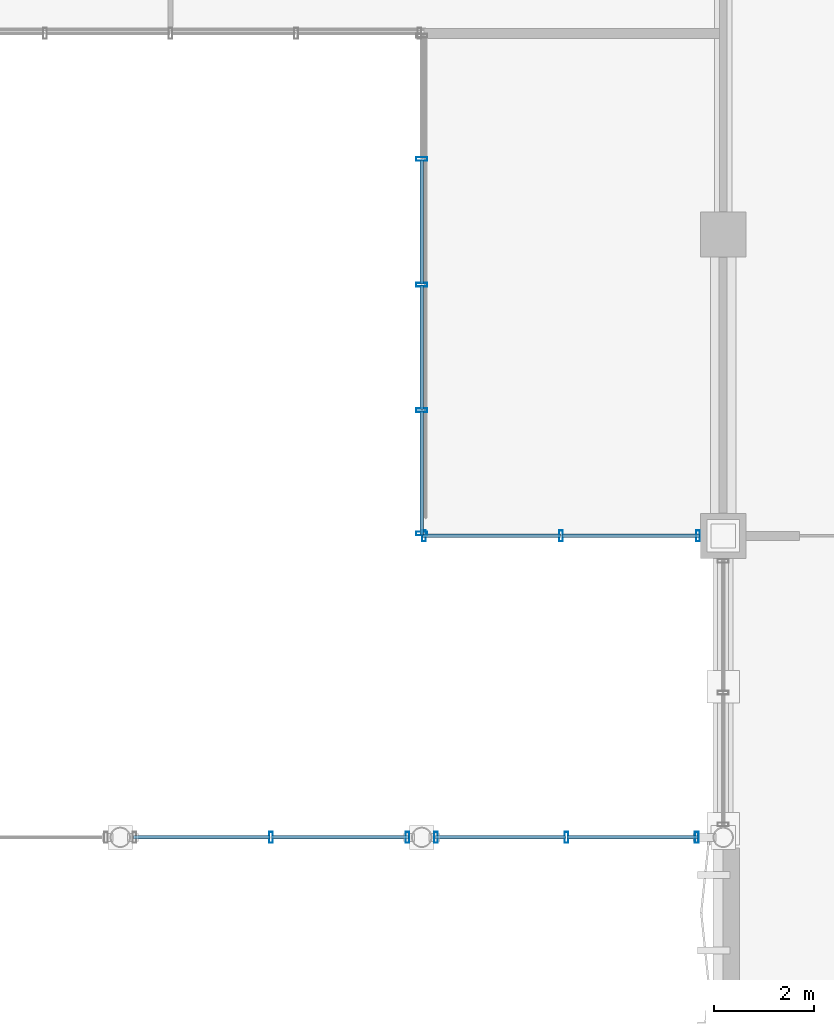
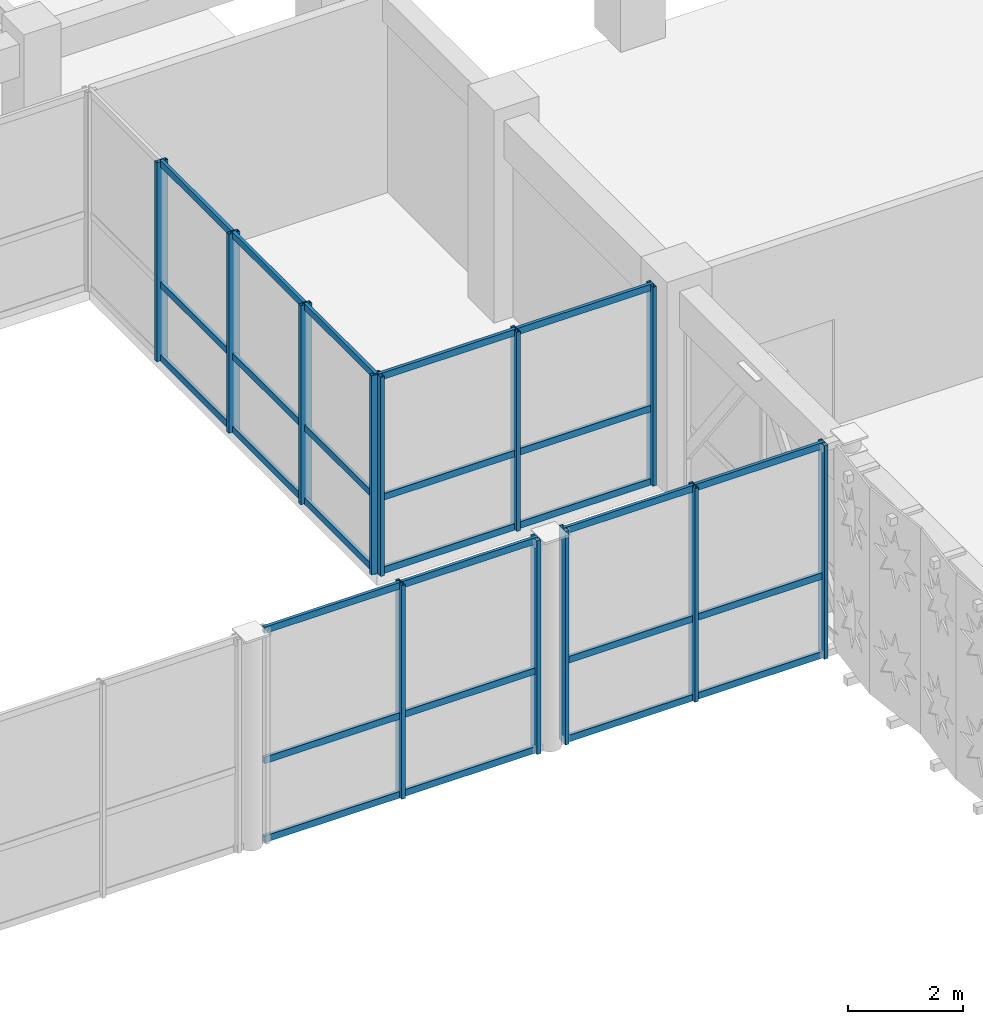
# One storey, part 24 of 133: 39 members, 4 elements without a shape of their own.
"""IFC4 building model written with IfcOpenShell, lengths in metres."""

from ifc_helpers import new_model, si_unit, direction, frame, origin, origin_2d, place, context, subcontext, project, spatial, hollow_rectangle, extrude, material, material_profile, profile_set, type_object, element, aggregate, save


model = new_model("IFC4")

# Units and contexts
model_context = context("Model", 3, precision=1e-05, world=origin(), true_north=direction((0.0, 1.0)))
body_context = subcontext(model_context, "Body", "Model", "MODEL_VIEW")
ifc_project = project(units=[si_unit("LENGTHUNIT", "METRE"), si_unit("AREAUNIT", "SQUARE_METRE"), si_unit("VOLUMEUNIT", "CUBIC_METRE"), si_unit("PLANEANGLEUNIT", "RADIAN"), si_unit("MASSUNIT", "GRAM", prefix="KILO"), si_unit("THERMODYNAMICTEMPERATUREUNIT", "KELVIN"), si_unit("POWERUNIT", "WATT")], contexts=[model_context])

# Site, building, storey
site_placement = place(None, origin())
site = spatial("IfcSite", under=ifc_project, at=site_placement, CompositionType="ELEMENT")
building_placement = place(site_placement, origin())
building = spatial("IfcBuilding", under=site, at=building_placement, Name="Phaisarnlok Congress Hotel", CompositionType="ELEMENT")
storey_placement = place(building_placement, frame((0.0, 0.0, 6.0)))
storey = spatial("IfcBuildingStorey", under=building, at=storey_placement, Name="L01", CompositionType="ELEMENT", Elevation=6.0)

# Curtain wall, members
ifc_material_1 = material(Name="Thermally Broken Unitised Aluminium & Low-E Glazing", Category="aluminium")
curtain_wall_type_1 = type_object("IfcCurtainWallType", Name="CW-UNIT-08", PredefinedType="NOTDEFINED", material=ifc_material_1)
curtain_wall_1_placement = place(storey_placement, origin())
curtain_wall_1 = element("IfcCurtainWall", 1, at=curtain_wall_1_placement, inside=storey, type_object=curtain_wall_type_1, Name="Unitised curtain wall CW-08 (L01)", PredefinedType="NOTDEFINED")
ifc_material_2 = material(Name="Anodised Aluminium Alloy 6063-T6", Category="aluminium")
ifc_material_profile_1 = material_profile(ifc_material_2, hollow_rectangle(XDim=0.074951171875, YDim=0.219970703125, WallThickness=0.0048828125, at=origin_2d()), Name="ALU-M 75x220x5")
ifc_profile_set_1 = profile_set([ifc_material_profile_1], Name="Anodised Aluminium Alloy 6063-T6")
member_type_1 = type_object("IfcMemberType", Name="CWM-220", PredefinedType="MULLION", material=ifc_profile_set_1)
member_1_placement = place(storey_placement, frame((90.0, 31.5, 0.0), z_axis=(0.0, 0.0, 1.0), x_axis=(0.0, -1.0, 0.0)))
member_1 = element("IfcMember", 2, at=member_1_placement, type_object=member_type_1, Name="Curtain wall mullion CWM-02", PredefinedType="MULLION", context=body_context, shape_type="SweptSolid", body=[
    extrude(hollow_rectangle(XDim=0.074951171875, YDim=0.219970703125, WallThickness=0.0048828125, at=origin_2d()), origin(), (0.0, 0.0, 1.0), 4.219970703125),
])
member_2_placement = place(storey_placement, frame((90.0, 29.0, 0.0), z_axis=(0.0, 0.0, 1.0), x_axis=(0.0, -1.0, 0.0)))
member_2 = element("IfcMember", 3, at=member_2_placement, type_object=member_type_1, Name="Curtain wall mullion CWM-02", PredefinedType="MULLION", context=body_context, shape_type="SweptSolid", body=[
    extrude(hollow_rectangle(XDim=0.074951171875, YDim=0.219970703125, WallThickness=0.0048828125, at=origin_2d()), origin(), (0.0, 0.0, 1.0), 4.219970703125),
])
member_3_placement = place(storey_placement, frame((90.0, 26.5, 0.0), z_axis=(0.0, 0.0, 1.0), x_axis=(0.0, -1.0, 0.0)))
member_3 = element("IfcMember", 4, at=member_3_placement, type_object=member_type_1, Name="Curtain wall mullion CWM-02", PredefinedType="MULLION", context=body_context, shape_type="SweptSolid", body=[
    extrude(hollow_rectangle(XDim=0.074951171875, YDim=0.219970703125, WallThickness=0.0048828125, at=origin_2d()), origin(), (0.0, 0.0, 1.0), 4.219970703125),
])
member_4_placement = place(storey_placement, frame((90.0, 24.044921875, 0.0), z_axis=(0.0, 0.0, 1.0), x_axis=(0.0, -1.0, 0.0)))
member_4 = element("IfcMember", 5, at=member_4_placement, type_object=member_type_1, Name="Curtain wall mullion CWM-02", PredefinedType="MULLION", context=body_context, shape_type="SweptSolid", body=[
    extrude(hollow_rectangle(XDim=0.074951171875, YDim=0.219970703125, WallThickness=0.0048828125, at=origin_2d()), origin(), (0.0, 0.0, 1.0), 4.219970703125),
])

curtain_wall_type_2 = type_object("IfcCurtainWallType", Name="CW-UNIT-09", PredefinedType="NOTDEFINED", material=ifc_material_1)
curtain_wall_2_placement = place(storey_placement, origin())
curtain_wall_2 = element("IfcCurtainWall", 6, at=curtain_wall_2_placement, inside=storey, type_object=curtain_wall_type_2, Name="Unitised curtain wall CW-09 (L01)", PredefinedType="NOTDEFINED")
member_5_placement = place(storey_placement, frame((90.044921875, 24.0, 0.0), z_axis=(0.0, 0.0, 1.0), x_axis=(1.0, 0.0, 0.0)))
member_5 = element("IfcMember", 7, at=member_5_placement, type_object=member_type_1, Name="Curtain wall mullion CWM-02", PredefinedType="MULLION", context=body_context, shape_type="SweptSolid", body=[
    extrude(hollow_rectangle(XDim=0.074951171875, YDim=0.219970703125, WallThickness=0.0048828125, at=origin_2d()), origin(), (0.0, 0.0, 1.0), 4.219970703125),
])
member_6_placement = place(storey_placement, frame((92.7724609375, 24.0, 0.0), z_axis=(0.0, 0.0, 1.0), x_axis=(1.0, 0.0, 0.0)))
member_6 = element("IfcMember", 8, at=member_6_placement, type_object=member_type_1, Name="Curtain wall mullion CWM-02", PredefinedType="MULLION", context=body_context, shape_type="SweptSolid", body=[
    extrude(hollow_rectangle(XDim=0.074951171875, YDim=0.219970703125, WallThickness=0.0048828125, at=origin_2d()), origin(), (0.0, 0.0, 1.0), 4.219970703125),
])
member_7_placement = place(storey_placement, frame((95.5, 24.0, 0.0), z_axis=(0.0, 0.0, 1.0), x_axis=(1.0, 0.0, 0.0)))
member_7 = element("IfcMember", 9, at=member_7_placement, type_object=member_type_1, Name="Curtain wall mullion CWM-02", PredefinedType="MULLION", context=body_context, shape_type="SweptSolid", body=[
    extrude(hollow_rectangle(XDim=0.074951171875, YDim=0.219970703125, WallThickness=0.0048828125, at=origin_2d()), origin(), (0.0, 0.0, 1.0), 4.219970703125),
])

curtain_wall_type_3 = type_object("IfcCurtainWallType", Name="CW-UNIT-43", PredefinedType="NOTDEFINED", material=ifc_material_1)
curtain_wall_3_placement = place(storey_placement, origin())
curtain_wall_3 = element("IfcCurtainWall", 10, at=curtain_wall_3_placement, inside=storey, type_object=curtain_wall_type_3, Name="Unitised curtain wall CW-43 (L01)", PredefinedType="NOTDEFINED")
member_8_placement = place(storey_placement, frame((87.0, 18.0, -0.02001953125), z_axis=(0.0, 0.0, 1.0), x_axis=(1.0, 0.0, 0.0)))
member_8 = element("IfcMember", 11, at=member_8_placement, type_object=member_type_1, Name="Curtain wall mullion CWM-02", PredefinedType="MULLION", context=body_context, shape_type="SweptSolid", body=[
    extrude(hollow_rectangle(XDim=0.074951171875, YDim=0.219970703125, WallThickness=0.0048828125, at=origin_2d()), origin(), (0.0, 0.0, 1.0), 4.530029296875),
])
member_9_placement = place(storey_placement, frame((89.715087890625, 18.0, -0.02001953125), z_axis=(0.0, 0.0, 1.0), x_axis=(1.0, 0.0, 0.0)))
member_9 = element("IfcMember", 12, at=member_9_placement, type_object=member_type_1, Name="Curtain wall mullion CWM-02", PredefinedType="MULLION", context=body_context, shape_type="SweptSolid", body=[
    extrude(hollow_rectangle(XDim=0.074951171875, YDim=0.219970703125, WallThickness=0.0048828125, at=origin_2d()), origin(), (0.0, 0.0, 1.0), 4.530029296875),
])

curtain_wall_type_4 = type_object("IfcCurtainWallType", Name="CW-UNIT-40", PredefinedType="NOTDEFINED", material=ifc_material_1)
curtain_wall_4_placement = place(storey_placement, origin())
curtain_wall_4 = element("IfcCurtainWall", 13, at=curtain_wall_4_placement, inside=storey, type_object=curtain_wall_type_4, Name="Unitised curtain wall CW-40 (L01)", PredefinedType="NOTDEFINED")
member_10_placement = place(storey_placement, frame((90.284912109375, 18.0, -0.02001953125), z_axis=(0.0, 0.0, 1.0), x_axis=(1.0, 0.0, 0.0)))
member_10 = element("IfcMember", 14, at=member_10_placement, type_object=member_type_1, Name="Curtain wall mullion CWM-02", PredefinedType="MULLION", context=body_context, shape_type="SweptSolid", body=[
    extrude(hollow_rectangle(XDim=0.074951171875, YDim=0.219970703125, WallThickness=0.0048828125, at=origin_2d()), origin(), (0.0, 0.0, 1.0), 4.530029296875),
])
member_11_placement = place(storey_placement, frame((92.8798828125, 18.0, -0.02001953125), z_axis=(0.0, 0.0, 1.0), x_axis=(1.0, 0.0, 0.0)))
member_11 = element("IfcMember", 15, at=member_11_placement, type_object=member_type_1, Name="Curtain wall mullion CWM-02", PredefinedType="MULLION", context=body_context, shape_type="SweptSolid", body=[
    extrude(hollow_rectangle(XDim=0.074951171875, YDim=0.219970703125, WallThickness=0.0048828125, at=origin_2d()), origin(), (0.0, 0.0, 1.0), 4.530029296875),
])
member_12_placement = place(storey_placement, frame((95.47509765625, 18.0, -0.02001953125), z_axis=(0.0, 0.0, 1.0), x_axis=(1.0, 0.0, 0.0)))
member_12 = element("IfcMember", 16, at=member_12_placement, type_object=member_type_1, Name="Curtain wall mullion CWM-02", PredefinedType="MULLION", context=body_context, shape_type="SweptSolid", body=[
    extrude(hollow_rectangle(XDim=0.074951171875, YDim=0.219970703125, WallThickness=0.0048828125, at=origin_2d()), origin(), (0.0, 0.0, 1.0), 4.530029296875),
])

# Member
ifc_material_profile_2 = material_profile(ifc_material_2, hollow_rectangle(XDim=0.06494140625, YDim=0.139892578125, WallThickness=0.00390625, at=origin_2d()), Name="ALU-T 65x140x4")
ifc_profile_set_2 = profile_set([ifc_material_profile_2], Name="Anodised Aluminium Alloy 6063-T6")
member_type_2 = type_object("IfcMemberType", Name="CWT-150", PredefinedType="USERDEFINED", material=ifc_profile_set_2)
member_13_placement = place(storey_placement, frame((90.0, 31.485107421875, 0.050048828125), z_axis=(0.0, -1.0, 0.0), x_axis=(1.0, 0.0, 0.0)))
member_13 = element("IfcMember", 17, at=member_13_placement, type_object=member_type_2, Name="Curtain wall transom CWT-01", ObjectType="TRANSOM", PredefinedType="USERDEFINED", context=body_context, shape_type="SweptSolid", body=[
    extrude(hollow_rectangle(XDim=0.06494140625, YDim=0.139892578125, WallThickness=0.00390625, at=origin_2d()), origin(), (0.0, 0.0, 1.0), 2.47021484375),
])

member_14_placement = place(storey_placement, frame((90.0, 31.485107421875, 1.603515625), z_axis=(0.0, -1.0, 0.0), x_axis=(1.0, 0.0, 0.0)))
member_14 = element("IfcMember", 18, at=member_14_placement, type_object=member_type_2, Name="Curtain wall transom CWT-01", ObjectType="TRANSOM", PredefinedType="USERDEFINED", context=body_context, shape_type="SweptSolid", body=[
    extrude(hollow_rectangle(XDim=0.06494140625, YDim=0.139892578125, WallThickness=0.00390625, at=origin_2d()), origin(), (0.0, 0.0, 1.0), 2.47021484375),
])

member_15_placement = place(storey_placement, frame((90.0, 31.485107421875, 4.169921875), z_axis=(0.0, -1.0, 0.0), x_axis=(1.0, 0.0, 0.0)))
member_15 = element("IfcMember", 19, at=member_15_placement, type_object=member_type_2, Name="Curtain wall transom CWT-01", ObjectType="TRANSOM", PredefinedType="USERDEFINED", context=body_context, shape_type="SweptSolid", body=[
    extrude(hollow_rectangle(XDim=0.06494140625, YDim=0.139892578125, WallThickness=0.00390625, at=origin_2d()), origin(), (0.0, 0.0, 1.0), 2.47021484375),
])

member_16_placement = place(storey_placement, frame((90.0, 28.985107421875, 0.050048828125), z_axis=(0.0, -1.0, 0.0), x_axis=(1.0, 0.0, 0.0)))
member_16 = element("IfcMember", 20, at=member_16_placement, type_object=member_type_2, Name="Curtain wall transom CWT-01", ObjectType="TRANSOM", PredefinedType="USERDEFINED", context=body_context, shape_type="SweptSolid", body=[
    extrude(hollow_rectangle(XDim=0.06494140625, YDim=0.139892578125, WallThickness=0.00390625, at=origin_2d()), origin(), (0.0, 0.0, 1.0), 2.47021484375),
])

member_17_placement = place(storey_placement, frame((90.0, 28.985107421875, 1.603515625), z_axis=(0.0, -1.0, 0.0), x_axis=(1.0, 0.0, 0.0)))
member_17 = element("IfcMember", 21, at=member_17_placement, type_object=member_type_2, Name="Curtain wall transom CWT-01", ObjectType="TRANSOM", PredefinedType="USERDEFINED", context=body_context, shape_type="SweptSolid", body=[
    extrude(hollow_rectangle(XDim=0.06494140625, YDim=0.139892578125, WallThickness=0.00390625, at=origin_2d()), origin(), (0.0, 0.0, 1.0), 2.47021484375),
])

member_18_placement = place(storey_placement, frame((90.0, 28.985107421875, 4.169921875), z_axis=(0.0, -1.0, 0.0), x_axis=(1.0, 0.0, 0.0)))
member_18 = element("IfcMember", 22, at=member_18_placement, type_object=member_type_2, Name="Curtain wall transom CWT-01", ObjectType="TRANSOM", PredefinedType="USERDEFINED", context=body_context, shape_type="SweptSolid", body=[
    extrude(hollow_rectangle(XDim=0.06494140625, YDim=0.139892578125, WallThickness=0.00390625, at=origin_2d()), origin(), (0.0, 0.0, 1.0), 2.47021484375),
])

member_19_placement = place(storey_placement, frame((90.0, 26.485107421875, 0.050048828125), z_axis=(0.0, -1.0, 0.0), x_axis=(1.0, 0.0, 0.0)))
member_19 = element("IfcMember", 23, at=member_19_placement, type_object=member_type_2, Name="Curtain wall transom CWT-01", ObjectType="TRANSOM", PredefinedType="USERDEFINED", context=body_context, shape_type="SweptSolid", body=[
    extrude(hollow_rectangle(XDim=0.06494140625, YDim=0.139892578125, WallThickness=0.00390625, at=origin_2d()), origin(), (0.0, 0.0, 1.0), 2.465087890625),
])

member_20_placement = place(storey_placement, frame((90.0, 26.485107421875, 1.603515625), z_axis=(0.0, -1.0, 0.0), x_axis=(1.0, 0.0, 0.0)))
member_20 = element("IfcMember", 24, at=member_20_placement, type_object=member_type_2, Name="Curtain wall transom CWT-01", ObjectType="TRANSOM", PredefinedType="USERDEFINED", context=body_context, shape_type="SweptSolid", body=[
    extrude(hollow_rectangle(XDim=0.06494140625, YDim=0.139892578125, WallThickness=0.00390625, at=origin_2d()), origin(), (0.0, 0.0, 1.0), 2.465087890625),
])

member_21_placement = place(storey_placement, frame((90.0, 26.485107421875, 4.169921875), z_axis=(0.0, -1.0, 0.0), x_axis=(1.0, 0.0, 0.0)))
member_21 = element("IfcMember", 25, at=member_21_placement, type_object=member_type_2, Name="Curtain wall transom CWT-01", ObjectType="TRANSOM", PredefinedType="USERDEFINED", context=body_context, shape_type="SweptSolid", body=[
    extrude(hollow_rectangle(XDim=0.06494140625, YDim=0.139892578125, WallThickness=0.00390625, at=origin_2d()), origin(), (0.0, 0.0, 1.0), 2.465087890625),
])

aggregate(curtain_wall_1, [member_1, member_2, member_3, member_4, member_13, member_14, member_15, member_16, member_17, member_18, member_19, member_20, member_21])

member_22_placement = place(storey_placement, frame((90.02001953125, 24.0, 0.050048828125), z_axis=(1.0, 0.0, 0.0), x_axis=(0.0, 1.0, 0.0)))
member_22 = element("IfcMember", 26, at=member_22_placement, type_object=member_type_2, Name="Curtain wall transom CWT-01", ObjectType="TRANSOM", PredefinedType="USERDEFINED", context=body_context, shape_type="SweptSolid", body=[
    extrude(hollow_rectangle(XDim=0.06494140625, YDim=0.139892578125, WallThickness=0.00390625, at=origin_2d()), origin(), (0.0, 0.0, 1.0), 2.737548828125),
])

member_23_placement = place(storey_placement, frame((90.02001953125, 24.0, 1.603515625), z_axis=(1.0, 0.0, 0.0), x_axis=(0.0, 1.0, 0.0)))
member_23 = element("IfcMember", 27, at=member_23_placement, type_object=member_type_2, Name="Curtain wall transom CWT-01", ObjectType="TRANSOM", PredefinedType="USERDEFINED", context=body_context, shape_type="SweptSolid", body=[
    extrude(hollow_rectangle(XDim=0.06494140625, YDim=0.139892578125, WallThickness=0.00390625, at=origin_2d()), origin(), (0.0, 0.0, 1.0), 2.737548828125),
])

member_24_placement = place(storey_placement, frame((90.02001953125, 24.0, 4.169921875), z_axis=(1.0, 0.0, 0.0), x_axis=(0.0, 1.0, 0.0)))
member_24 = element("IfcMember", 28, at=member_24_placement, type_object=member_type_2, Name="Curtain wall transom CWT-01", ObjectType="TRANSOM", PredefinedType="USERDEFINED", context=body_context, shape_type="SweptSolid", body=[
    extrude(hollow_rectangle(XDim=0.06494140625, YDim=0.139892578125, WallThickness=0.00390625, at=origin_2d()), origin(), (0.0, 0.0, 1.0), 2.737548828125),
])

member_25_placement = place(storey_placement, frame((92.78759765625, 24.0, 0.050048828125), z_axis=(1.0, 0.0, 0.0), x_axis=(0.0, 1.0, 0.0)))
member_25 = element("IfcMember", 29, at=member_25_placement, type_object=member_type_2, Name="Curtain wall transom CWT-01", ObjectType="TRANSOM", PredefinedType="USERDEFINED", context=body_context, shape_type="SweptSolid", body=[
    extrude(hollow_rectangle(XDim=0.06494140625, YDim=0.139892578125, WallThickness=0.00390625, at=origin_2d()), origin(), (0.0, 0.0, 1.0), 2.7373046875),
])

member_26_placement = place(storey_placement, frame((92.78759765625, 24.0, 1.603515625), z_axis=(1.0, 0.0, 0.0), x_axis=(0.0, 1.0, 0.0)))
member_26 = element("IfcMember", 30, at=member_26_placement, type_object=member_type_2, Name="Curtain wall transom CWT-01", ObjectType="TRANSOM", PredefinedType="USERDEFINED", context=body_context, shape_type="SweptSolid", body=[
    extrude(hollow_rectangle(XDim=0.06494140625, YDim=0.139892578125, WallThickness=0.00390625, at=origin_2d()), origin(), (0.0, 0.0, 1.0), 2.7373046875),
])

member_27_placement = place(storey_placement, frame((92.78759765625, 24.0, 4.169921875), z_axis=(1.0, 0.0, 0.0), x_axis=(0.0, 1.0, 0.0)))
member_27 = element("IfcMember", 31, at=member_27_placement, type_object=member_type_2, Name="Curtain wall transom CWT-01", ObjectType="TRANSOM", PredefinedType="USERDEFINED", context=body_context, shape_type="SweptSolid", body=[
    extrude(hollow_rectangle(XDim=0.06494140625, YDim=0.139892578125, WallThickness=0.00390625, at=origin_2d()), origin(), (0.0, 0.0, 1.0), 2.7373046875),
])

aggregate(curtain_wall_2, [member_5, member_6, member_7, member_22, member_23, member_24, member_25, member_26, member_27])

member_28_placement = place(storey_placement, frame((84.260009765625, 18.0, 0.030029296875), z_axis=(1.0, 0.0, 0.0), x_axis=(0.0, 1.0, 0.0)))
member_28 = element("IfcMember", 32, at=member_28_placement, type_object=member_type_2, Name="Curtain wall transom CWT-01", ObjectType="TRANSOM", PredefinedType="USERDEFINED", context=body_context, shape_type="SweptSolid", body=[
    extrude(hollow_rectangle(XDim=0.06494140625, YDim=0.139892578125, WallThickness=0.00390625, at=origin_2d()), origin(), (0.0, 0.0, 1.0), 2.72509765625),
])

member_29_placement = place(storey_placement, frame((84.260009765625, 18.0, 1.701416015625), z_axis=(1.0, 0.0, 0.0), x_axis=(0.0, 1.0, 0.0)))
member_29 = element("IfcMember", 33, at=member_29_placement, type_object=member_type_2, Name="Curtain wall transom CWT-01", ObjectType="TRANSOM", PredefinedType="USERDEFINED", context=body_context, shape_type="SweptSolid", body=[
    extrude(hollow_rectangle(XDim=0.06494140625, YDim=0.139892578125, WallThickness=0.00390625, at=origin_2d()), origin(), (0.0, 0.0, 1.0), 2.72509765625),
])

member_30_placement = place(storey_placement, frame((84.260009765625, 18.0, 4.4599609375), z_axis=(1.0, 0.0, 0.0), x_axis=(0.0, 1.0, 0.0)))
member_30 = element("IfcMember", 34, at=member_30_placement, type_object=member_type_2, Name="Curtain wall transom CWT-01", ObjectType="TRANSOM", PredefinedType="USERDEFINED", context=body_context, shape_type="SweptSolid", body=[
    extrude(hollow_rectangle(XDim=0.06494140625, YDim=0.139892578125, WallThickness=0.00390625, at=origin_2d()), origin(), (0.0, 0.0, 1.0), 2.72509765625),
])

member_31_placement = place(storey_placement, frame((87.014892578125, 18.0, 0.030029296875), z_axis=(1.0, 0.0, 0.0), x_axis=(0.0, 1.0, 0.0)))
member_31 = element("IfcMember", 35, at=member_31_placement, type_object=member_type_2, Name="Curtain wall transom CWT-01", ObjectType="TRANSOM", PredefinedType="USERDEFINED", context=body_context, shape_type="SweptSolid", body=[
    extrude(hollow_rectangle(XDim=0.06494140625, YDim=0.139892578125, WallThickness=0.00390625, at=origin_2d()), origin(), (0.0, 0.0, 1.0), 2.72509765625),
])

member_32_placement = place(storey_placement, frame((87.014892578125, 18.0, 1.701416015625), z_axis=(1.0, 0.0, 0.0), x_axis=(0.0, 1.0, 0.0)))
member_32 = element("IfcMember", 36, at=member_32_placement, type_object=member_type_2, Name="Curtain wall transom CWT-01", ObjectType="TRANSOM", PredefinedType="USERDEFINED", context=body_context, shape_type="SweptSolid", body=[
    extrude(hollow_rectangle(XDim=0.06494140625, YDim=0.139892578125, WallThickness=0.00390625, at=origin_2d()), origin(), (0.0, 0.0, 1.0), 2.72509765625),
])

member_33_placement = place(storey_placement, frame((87.014892578125, 18.0, 4.4599609375), z_axis=(1.0, 0.0, 0.0), x_axis=(0.0, 1.0, 0.0)))
member_33 = element("IfcMember", 37, at=member_33_placement, type_object=member_type_2, Name="Curtain wall transom CWT-01", ObjectType="TRANSOM", PredefinedType="USERDEFINED", context=body_context, shape_type="SweptSolid", body=[
    extrude(hollow_rectangle(XDim=0.06494140625, YDim=0.139892578125, WallThickness=0.00390625, at=origin_2d()), origin(), (0.0, 0.0, 1.0), 2.72509765625),
])

aggregate(curtain_wall_3, [member_8, member_9, member_28, member_29, member_30, member_31, member_32, member_33])

member_34_placement = place(storey_placement, frame((90.260009765625, 18.0, 0.030029296875), z_axis=(1.0, 0.0, 0.0), x_axis=(0.0, 1.0, 0.0)))
member_34 = element("IfcMember", 38, at=member_34_placement, type_object=member_type_2, Name="Curtain wall transom CWT-01", ObjectType="TRANSOM", PredefinedType="USERDEFINED", context=body_context, shape_type="SweptSolid", body=[
    extrude(hollow_rectangle(XDim=0.06494140625, YDim=0.139892578125, WallThickness=0.00390625, at=origin_2d()), origin(), (0.0, 0.0, 1.0), 2.60498046875),
])

member_35_placement = place(storey_placement, frame((90.260009765625, 18.0, 1.701416015625), z_axis=(1.0, 0.0, 0.0), x_axis=(0.0, 1.0, 0.0)))
member_35 = element("IfcMember", 39, at=member_35_placement, type_object=member_type_2, Name="Curtain wall transom CWT-01", ObjectType="TRANSOM", PredefinedType="USERDEFINED", context=body_context, shape_type="SweptSolid", body=[
    extrude(hollow_rectangle(XDim=0.06494140625, YDim=0.139892578125, WallThickness=0.00390625, at=origin_2d()), origin(), (0.0, 0.0, 1.0), 2.60498046875),
])

member_36_placement = place(storey_placement, frame((90.260009765625, 18.0, 4.4599609375), z_axis=(1.0, 0.0, 0.0), x_axis=(0.0, 1.0, 0.0)))
member_36 = element("IfcMember", 40, at=member_36_placement, type_object=member_type_2, Name="Curtain wall transom CWT-01", ObjectType="TRANSOM", PredefinedType="USERDEFINED", context=body_context, shape_type="SweptSolid", body=[
    extrude(hollow_rectangle(XDim=0.06494140625, YDim=0.139892578125, WallThickness=0.00390625, at=origin_2d()), origin(), (0.0, 0.0, 1.0), 2.60498046875),
])

member_37_placement = place(storey_placement, frame((92.89501953125, 18.0, 0.030029296875), z_axis=(1.0, 0.0, 0.0), x_axis=(0.0, 1.0, 0.0)))
member_37 = element("IfcMember", 41, at=member_37_placement, type_object=member_type_2, Name="Curtain wall transom CWT-01", ObjectType="TRANSOM", PredefinedType="USERDEFINED", context=body_context, shape_type="SweptSolid", body=[
    extrude(hollow_rectangle(XDim=0.06494140625, YDim=0.139892578125, WallThickness=0.00390625, at=origin_2d()), origin(), (0.0, 0.0, 1.0), 2.60498046875),
])

member_38_placement = place(storey_placement, frame((92.89501953125, 18.0, 1.701416015625), z_axis=(1.0, 0.0, 0.0), x_axis=(0.0, 1.0, 0.0)))
member_38 = element("IfcMember", 42, at=member_38_placement, type_object=member_type_2, Name="Curtain wall transom CWT-01", ObjectType="TRANSOM", PredefinedType="USERDEFINED", context=body_context, shape_type="SweptSolid", body=[
    extrude(hollow_rectangle(XDim=0.06494140625, YDim=0.139892578125, WallThickness=0.00390625, at=origin_2d()), origin(), (0.0, 0.0, 1.0), 2.60498046875),
])

member_39_placement = place(storey_placement, frame((92.89501953125, 18.0, 4.4599609375), z_axis=(1.0, 0.0, 0.0), x_axis=(0.0, 1.0, 0.0)))
member_39 = element("IfcMember", 43, at=member_39_placement, type_object=member_type_2, Name="Curtain wall transom CWT-01", ObjectType="TRANSOM", PredefinedType="USERDEFINED", context=body_context, shape_type="SweptSolid", body=[
    extrude(hollow_rectangle(XDim=0.06494140625, YDim=0.139892578125, WallThickness=0.00390625, at=origin_2d()), origin(), (0.0, 0.0, 1.0), 2.60498046875),
])

aggregate(curtain_wall_4, [member_10, member_11, member_12, member_34, member_35, member_36, member_37, member_38, member_39])

save(model, "model.ifc")
